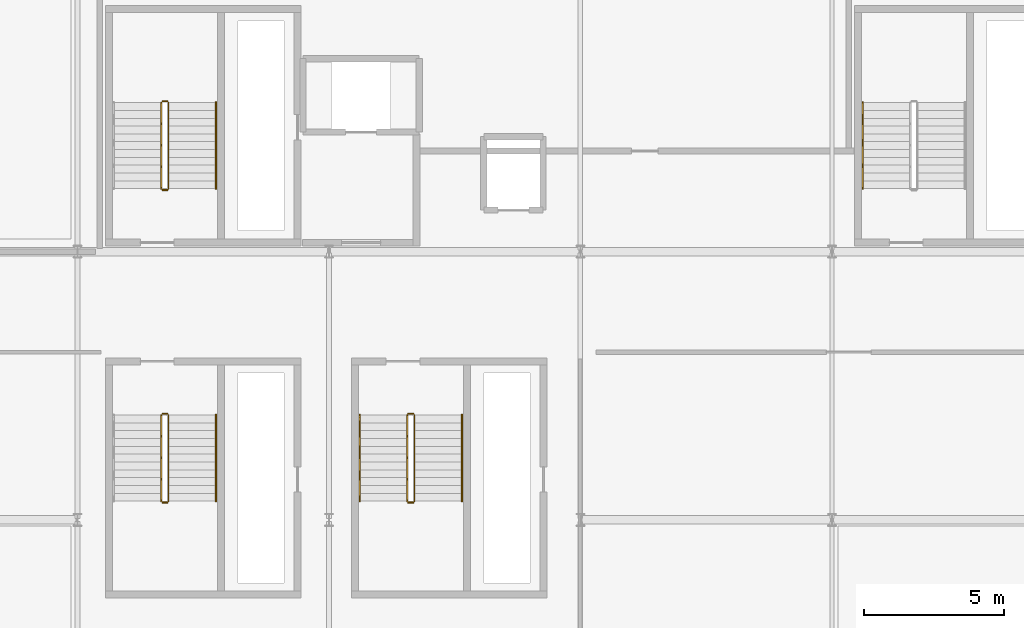
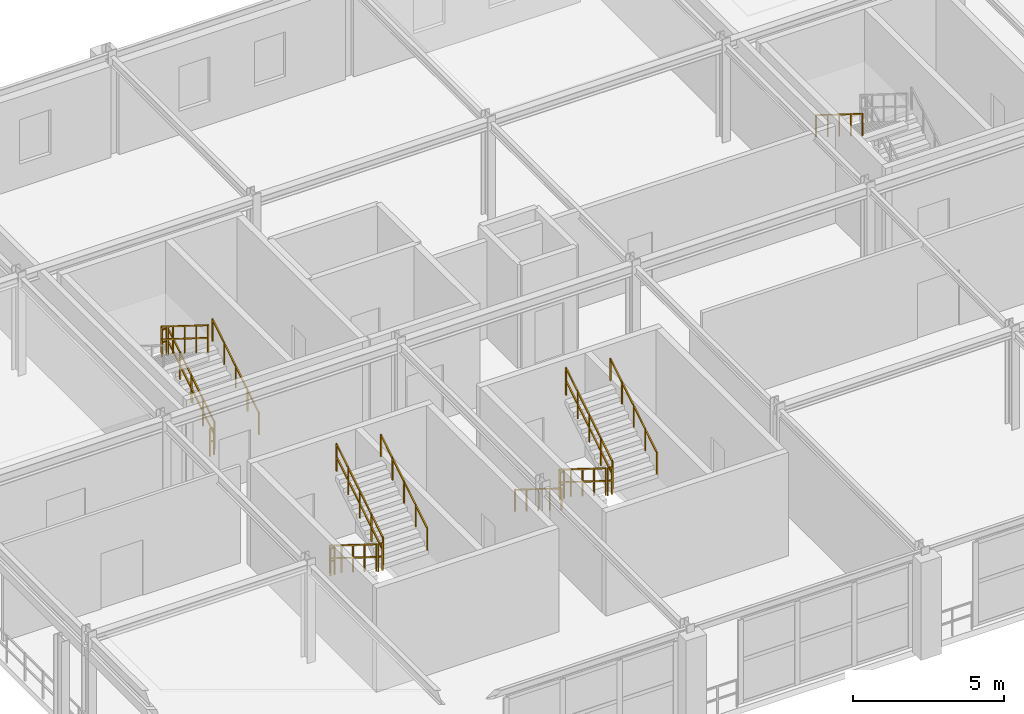
# One storey, part 79 of 81: 17 railings.
"""IFC4 building model written with IfcOpenShell, lengths in metres."""

from ifc_helpers import new_model, si_unit, direction, frame, origin, origin_2d, place, context, subcontext, project, spatial, rectangle, extrude, material, type_object, element, save


model = new_model("IFC4")

# Units and contexts
model_context = context("Model", 3, precision=1e-05, world=origin(), true_north=direction((0.0, 1.0)))
body_context = subcontext(model_context, "Body", "Model", "MODEL_VIEW")
ifc_project = project(units=[si_unit("LENGTHUNIT", "METRE"), si_unit("AREAUNIT", "SQUARE_METRE"), si_unit("VOLUMEUNIT", "CUBIC_METRE"), si_unit("PLANEANGLEUNIT", "RADIAN"), si_unit("MASSUNIT", "GRAM", prefix="KILO")], contexts=[model_context])

# Site, building, storey
site_placement = place(None, origin())
site = spatial("IfcSite", under=ifc_project, at=site_placement, CompositionType="ELEMENT")
building_placement = place(site_placement, origin())
building = spatial("IfcBuilding", under=site, at=building_placement, Name="Myrtia Square Station", CompositionType="ELEMENT")
storey_placement = place(building_placement, frame((0.0, 0.0, 10.800048828125)))
storey = spatial("IfcBuildingStorey", under=building, at=storey_placement, Name="L02", CompositionType="ELEMENT", Elevation=10.800048828125)

# Railings
ifc_material_1 = material(Name="Dark bronze anodised aluminium", Category="aluminium")
railing_type_1 = type_object("IfcRailingType", Name="RL-HANDRAIL-900", PredefinedType="HANDRAIL", material=ifc_material_1)
railing_1_placement = place(storey_placement, frame((130.9599609375, 107.85009765625, 0.175048828125)))
element("IfcRailing", 1, at=railing_1_placement, inside=storey, type_object=railing_type_1, Name="L02 ST07 stair handrail 1", PredefinedType="HANDRAIL", context=body_context, shape_type="SweptSolid", body=[
    extrude(rectangle(XDim=0.048095703125, YDim=0.048095703125, at=origin_2d()), frame((0.0, 0.029296875, 0.894287109375), z_axis=(0.0, 0.848009633417, 0.529980812513), x_axis=(-1.0, 0.0, 0.0)), (0.0, 0.0, 1.0), 0.838623046875),
    extrude(rectangle(XDim=0.048095703125, YDim=0.048095703125, at=origin_2d()), frame((0.0, 0.79931640625, 1.37548828125), z_axis=(0.0, 0.848009633417, 0.529980812513), x_axis=(-1.0, 0.0, 0.0)), (0.0, 0.0, 1.0), 0.838623046875),
    extrude(rectangle(XDim=0.048095703125, YDim=0.048095703125, at=origin_2d()), frame((0.0, 1.5693359375, 1.856689453125), z_axis=(0.0, 0.848009633417, 0.529980812513), x_axis=(-1.0, 0.0, 0.0)), (0.0, 0.0, 1.0), 0.838623046875),
    extrude(rectangle(XDim=0.048095703125, YDim=0.048095703125, at=origin_2d()), frame((0.0, 2.33935546875, 2.337890625), z_axis=(0.0, 0.848009633417, 0.529980812513), x_axis=(-1.0, 0.0, 0.0)), (0.0, 0.0, 1.0), 0.838623046875),
    extrude(rectangle(XDim=0.0439453125, YDim=0.0439453125, at=origin_2d()), origin(), (0.0, 0.0, 1.0), 0.89990234375),
    extrude(rectangle(XDim=0.0439453125, YDim=0.0439453125, at=origin_2d()), frame((0.0, 0.77001953125, 0.481201171875)), (0.0, 0.0, 1.0), 0.89990234375),
    extrude(rectangle(XDim=0.0439453125, YDim=0.0439453125, at=origin_2d()), frame((0.0, 1.5400390625, 0.96240234375)), (0.0, 0.0, 1.0), 0.89990234375),
    extrude(rectangle(XDim=0.0439453125, YDim=0.0439453125, at=origin_2d()), frame((0.0, 2.309814453125, 1.443603515625)), (0.0, 0.0, 1.0), 0.89990234375),
    extrude(rectangle(XDim=0.0439453125, YDim=0.0439453125, at=origin_2d()), frame((0.0, 3.079833984375, 1.9248046875)), (0.0, 0.0, 1.0), 0.89990234375),
])
railing_2_placement = place(storey_placement, frame((130.9599609375, 96.669921875, 2.27490234375)))
element("IfcRailing", 2, at=railing_2_placement, inside=storey, type_object=railing_type_1, Name="L02 ST12 stair handrail 2", PredefinedType="HANDRAIL", context=body_context, shape_type="SweptSolid", body=[
    extrude(rectangle(XDim=0.048095703125, YDim=0.048095703125, at=origin_2d()), frame((0.0, 0.029296875, 0.894287109375), z_axis=(0.0, 0.847998304005, 0.529998940003), x_axis=(-1.0, 0.0, 0.0)), (0.0, 0.0, 1.0), 0.8388671875),
    extrude(rectangle(XDim=0.048095703125, YDim=0.048095703125, at=origin_2d()), frame((0.0, 0.79931640625, 1.37548828125), z_axis=(0.0, 0.847998304005, 0.529998940003), x_axis=(-1.0, 0.0, 0.0)), (0.0, 0.0, 1.0), 0.8388671875),
    extrude(rectangle(XDim=0.048095703125, YDim=0.048095703125, at=origin_2d()), frame((0.0, 1.5693359375, 1.856689453125), z_axis=(0.0, 0.847998304005, 0.529998940003), x_axis=(-1.0, 0.0, 0.0)), (0.0, 0.0, 1.0), 0.8388671875),
    extrude(rectangle(XDim=0.048095703125, YDim=0.048095703125, at=origin_2d()), frame((0.0, 2.33935546875, 2.337890625), z_axis=(0.0, 0.847998304005, 0.529998940003), x_axis=(-1.0, 0.0, 0.0)), (0.0, 0.0, 1.0), 0.8388671875),
    extrude(rectangle(XDim=0.0439453125, YDim=0.0439453125, at=origin_2d()), origin(), (0.0, 0.0, 1.0), 0.89990234375),
    extrude(rectangle(XDim=0.0439453125, YDim=0.0439453125, at=origin_2d()), frame((0.0, 0.77001953125, 0.481201171875)), (0.0, 0.0, 1.0), 0.89990234375),
    extrude(rectangle(XDim=0.0439453125, YDim=0.0439453125, at=origin_2d()), frame((0.0, 1.5400390625, 0.96240234375)), (0.0, 0.0, 1.0), 0.89990234375),
    extrude(rectangle(XDim=0.0439453125, YDim=0.0439453125, at=origin_2d()), frame((0.0, 2.31005859375, 1.44384765625)), (0.0, 0.0, 1.0), 0.89990234375),
    extrude(rectangle(XDim=0.0439453125, YDim=0.0439453125, at=origin_2d()), frame((0.0, 3.080078125, 1.925048828125)), (0.0, 0.0, 1.0), 0.89990234375),
])
railing_3_placement = place(storey_placement, frame((136.10009765625, 99.75, 0.175048828125)))
element("IfcRailing", 3, at=railing_3_placement, inside=storey, type_object=railing_type_1, Name="L02 ST13 stair handrail 1", PredefinedType="HANDRAIL", context=body_context, shape_type="SweptSolid", body=[
    extrude(rectangle(XDim=0.048095703125, YDim=0.048095703125, at=origin_2d()), frame((0.0, -0.029296875, 0.894287109375), z_axis=(0.0, -0.848028513186, 0.529950602248), x_axis=(1.0, 0.0, 0.0)), (0.0, 0.0, 1.0), 0.838623046875),
    extrude(rectangle(XDim=0.048095703125, YDim=0.048095703125, at=origin_2d()), frame((0.0, -0.79931640625, 1.37548828125), z_axis=(0.0, -0.848028513186, 0.529950602248), x_axis=(1.0, 0.0, 0.0)), (0.0, 0.0, 1.0), 0.838623046875),
    extrude(rectangle(XDim=0.048095703125, YDim=0.048095703125, at=origin_2d()), frame((0.0, -1.5693359375, 1.856689453125), z_axis=(0.0, -0.848028513186, 0.529950602248), x_axis=(1.0, 0.0, 0.0)), (0.0, 0.0, 1.0), 0.838623046875),
    extrude(rectangle(XDim=0.048095703125, YDim=0.048095703125, at=origin_2d()), frame((0.0, -2.33935546875, 2.337890625), z_axis=(0.0, -0.848028513186, 0.529950602248), x_axis=(1.0, 0.0, 0.0)), (0.0, 0.0, 1.0), 0.838623046875),
    extrude(rectangle(XDim=0.0439453125, YDim=0.0439453125, at=origin_2d()), origin(), (0.0, 0.0, 1.0), 0.89990234375),
    extrude(rectangle(XDim=0.0439453125, YDim=0.0439453125, at=origin_2d()), frame((0.0, -0.77001953125, 0.481201171875)), (0.0, 0.0, 1.0), 0.89990234375),
    extrude(rectangle(XDim=0.0439453125, YDim=0.0439453125, at=origin_2d()), frame((0.0, -1.5400390625, 0.96240234375)), (0.0, 0.0, 1.0), 0.89990234375),
    extrude(rectangle(XDim=0.0439453125, YDim=0.0439453125, at=origin_2d()), frame((0.0, -2.31005859375, 1.443603515625)), (0.0, 0.0, 1.0), 0.89990234375),
    extrude(rectangle(XDim=0.0439453125, YDim=0.0439453125, at=origin_2d()), frame((0.0, -3.080078125, 1.9248046875)), (0.0, 0.0, 1.0), 0.89990234375),
])
railing_4_placement = place(storey_placement, frame((139.760009765625, 96.669921875, 2.27490234375)))
element("IfcRailing", 4, at=railing_4_placement, inside=storey, type_object=railing_type_1, Name="L02 ST13 stair handrail 2", PredefinedType="HANDRAIL", context=body_context, shape_type="SweptSolid", body=[
    extrude(rectangle(XDim=0.048095703125, YDim=0.048095703125, at=origin_2d()), frame((0.0, 0.029296875, 0.894287109375), z_axis=(0.0, 0.847998304005, 0.529998940003), x_axis=(-1.0, 0.0, 0.0)), (0.0, 0.0, 1.0), 0.8388671875),
    extrude(rectangle(XDim=0.048095703125, YDim=0.048095703125, at=origin_2d()), frame((0.0, 0.79931640625, 1.37548828125), z_axis=(0.0, 0.847998304005, 0.529998940003), x_axis=(-1.0, 0.0, 0.0)), (0.0, 0.0, 1.0), 0.8388671875),
    extrude(rectangle(XDim=0.048095703125, YDim=0.048095703125, at=origin_2d()), frame((0.0, 1.5693359375, 1.856689453125), z_axis=(0.0, 0.847998304005, 0.529998940003), x_axis=(-1.0, 0.0, 0.0)), (0.0, 0.0, 1.0), 0.8388671875),
    extrude(rectangle(XDim=0.048095703125, YDim=0.048095703125, at=origin_2d()), frame((0.0, 2.33935546875, 2.337890625), z_axis=(0.0, 0.847998304005, 0.529998940003), x_axis=(-1.0, 0.0, 0.0)), (0.0, 0.0, 1.0), 0.8388671875),
    extrude(rectangle(XDim=0.0439453125, YDim=0.0439453125, at=origin_2d()), origin(), (0.0, 0.0, 1.0), 0.89990234375),
    extrude(rectangle(XDim=0.0439453125, YDim=0.0439453125, at=origin_2d()), frame((0.0, 0.77001953125, 0.481201171875)), (0.0, 0.0, 1.0), 0.89990234375),
    extrude(rectangle(XDim=0.0439453125, YDim=0.0439453125, at=origin_2d()), frame((0.0, 1.5400390625, 0.96240234375)), (0.0, 0.0, 1.0), 0.89990234375),
    extrude(rectangle(XDim=0.0439453125, YDim=0.0439453125, at=origin_2d()), frame((0.0, 2.31005859375, 1.44384765625)), (0.0, 0.0, 1.0), 0.89990234375),
    extrude(rectangle(XDim=0.0439453125, YDim=0.0439453125, at=origin_2d()), frame((0.0, 3.080078125, 1.925048828125)), (0.0, 0.0, 1.0), 0.89990234375),
])
railing_5_placement = place(storey_placement, frame((154.10009765625, 110.929931640625, 2.27490234375)))
element("IfcRailing", 5, at=railing_5_placement, inside=storey, type_object=railing_type_1, Name="L02 ST15 stair handrail 2", PredefinedType="HANDRAIL", context=body_context, shape_type="SweptSolid", body=[
    extrude(rectangle(XDim=0.048095703125, YDim=0.048095703125, at=origin_2d()), frame((0.0, -0.029296875, 0.894287109375), z_axis=(0.0, -0.847979421464, 0.530029150871), x_axis=(1.0, 0.0, 0.0)), (0.0, 0.0, 1.0), 0.838623046875),
    extrude(rectangle(XDim=0.048095703125, YDim=0.048095703125, at=origin_2d()), frame((0.0, -0.79931640625, 1.37548828125), z_axis=(0.0, -0.847979421464, 0.530029150871), x_axis=(1.0, 0.0, 0.0)), (0.0, 0.0, 1.0), 0.838623046875),
    extrude(rectangle(XDim=0.048095703125, YDim=0.048095703125, at=origin_2d()), frame((0.0, -1.5693359375, 1.856689453125), z_axis=(0.0, -0.847979421464, 0.530029150871), x_axis=(1.0, 0.0, 0.0)), (0.0, 0.0, 1.0), 0.838623046875),
    extrude(rectangle(XDim=0.048095703125, YDim=0.048095703125, at=origin_2d()), frame((0.0, -2.33935546875, 2.337890625), z_axis=(0.0, -0.847979421464, 0.530029150871), x_axis=(1.0, 0.0, 0.0)), (0.0, 0.0, 1.0), 0.838623046875),
    extrude(rectangle(XDim=0.0439453125, YDim=0.0439453125, at=origin_2d()), origin(), (0.0, 0.0, 1.0), 0.89990234375),
    extrude(rectangle(XDim=0.0439453125, YDim=0.0439453125, at=origin_2d()), frame((0.0, -0.77001953125, 0.481201171875)), (0.0, 0.0, 1.0), 0.89990234375),
    extrude(rectangle(XDim=0.0439453125, YDim=0.0439453125, at=origin_2d()), frame((0.0, -1.5400390625, 0.96240234375)), (0.0, 0.0, 1.0), 0.89990234375),
    extrude(rectangle(XDim=0.0439453125, YDim=0.0439453125, at=origin_2d()), frame((0.0, -2.309814453125, 1.44384765625)), (0.0, 0.0, 1.0), 0.89990234375),
    extrude(rectangle(XDim=0.0439453125, YDim=0.0439453125, at=origin_2d()), frame((0.0, -3.079833984375, 1.925048828125)), (0.0, 0.0, 1.0), 0.89990234375),
])
ifc_material_2 = material(Name="Wrought iron", Category="steel")
railing_type_2 = type_object("IfcRailingType", Name="RL-INT-GUARD-1100", PredefinedType="BALUSTRADE", material=ifc_material_2)
railing_6_placement = place(storey_placement, frame((129.260009765625, 107.85009765625, 0.175048828125)))
element("IfcRailing", 6, at=railing_6_placement, inside=storey, type_object=railing_type_2, Name="L02 ST07 stair guard 1", PredefinedType="BALUSTRADE", context=body_context, shape_type="SweptSolid", body=[
    extrude(rectangle(XDim=0.048095703125, YDim=0.048095703125, at=origin_2d()), frame((0.0, 0.029296875, 1.114501953125), z_axis=(0.0, 0.848009633417, 0.529980812513), x_axis=(-1.0, 0.0, 0.0)), (0.0, 0.0, 1.0), 0.838623046875),
    extrude(rectangle(XDim=0.048095703125, YDim=0.048095703125, at=origin_2d()), frame((0.0, 0.029296875, 0.600830078125), z_axis=(0.0, 0.848009633417, 0.529980812513), x_axis=(-1.0, 0.0, 0.0)), (0.0, 0.0, 1.0), 0.838623046875),
    extrude(rectangle(XDim=0.048095703125, YDim=0.048095703125, at=origin_2d()), frame((0.0, 0.79931640625, 1.595703125), z_axis=(0.0, 0.848009633417, 0.529980812513), x_axis=(-1.0, 0.0, 0.0)), (0.0, 0.0, 1.0), 0.838623046875),
    extrude(rectangle(XDim=0.048095703125, YDim=0.048095703125, at=origin_2d()), frame((0.0, 0.79931640625, 1.08203125), z_axis=(0.0, 0.848009633417, 0.529980812513), x_axis=(-1.0, 0.0, 0.0)), (0.0, 0.0, 1.0), 0.838623046875),
    extrude(rectangle(XDim=0.048095703125, YDim=0.048095703125, at=origin_2d()), frame((0.0, 1.5693359375, 2.076904296875), z_axis=(0.0, 0.848009633417, 0.529980812513), x_axis=(-1.0, 0.0, 0.0)), (0.0, 0.0, 1.0), 0.838623046875),
    extrude(rectangle(XDim=0.048095703125, YDim=0.048095703125, at=origin_2d()), frame((0.0, 1.5693359375, 1.563232421875), z_axis=(0.0, 0.848009633417, 0.529980812513), x_axis=(-1.0, 0.0, 0.0)), (0.0, 0.0, 1.0), 0.838623046875),
    extrude(rectangle(XDim=0.048095703125, YDim=0.048095703125, at=origin_2d()), frame((0.0, 2.33935546875, 2.55810546875), z_axis=(0.0, 0.848009633417, 0.529980812513), x_axis=(-1.0, 0.0, 0.0)), (0.0, 0.0, 1.0), 0.838623046875),
    extrude(rectangle(XDim=0.048095703125, YDim=0.048095703125, at=origin_2d()), frame((0.0, 2.33935546875, 2.04443359375), z_axis=(0.0, 0.848009633417, 0.529980812513), x_axis=(-1.0, 0.0, 0.0)), (0.0, 0.0, 1.0), 0.838623046875),
    extrude(rectangle(XDim=0.0439453125, YDim=0.0439453125, at=origin_2d()), origin(), (0.0, 0.0, 1.0), 1.1201171875),
    extrude(rectangle(XDim=0.0439453125, YDim=0.0439453125, at=origin_2d()), frame((0.0, 0.77001953125, 0.481201171875)), (0.0, 0.0, 1.0), 1.1201171875),
    extrude(rectangle(XDim=0.0439453125, YDim=0.0439453125, at=origin_2d()), frame((0.0, 1.5400390625, 0.96240234375)), (0.0, 0.0, 1.0), 1.1201171875),
    extrude(rectangle(XDim=0.0439453125, YDim=0.0439453125, at=origin_2d()), frame((0.0, 2.309814453125, 1.443603515625)), (0.0, 0.0, 1.0), 1.1201171875),
    extrude(rectangle(XDim=0.0439453125, YDim=0.0439453125, at=origin_2d()), frame((0.0, 3.079833984375, 1.9248046875)), (0.0, 0.0, 1.0), 1.1201171875),
])
railing_7_placement = place(storey_placement, frame((129.2099609375, 110.97998046875, 2.099853515625)))
element("IfcRailing", 7, at=railing_7_placement, inside=storey, type_object=railing_type_2, Name="L02 ST07 stair guard 2", PredefinedType="BALUSTRADE", context=body_context, shape_type="SweptSolid", body=[
    extrude(rectangle(XDim=0.048095703125, YDim=0.048095703125, at=origin_2d()), frame((-0.03466796875, 0.0, 1.09619140625), z_axis=(-1.0, 0.0, 0.0), x_axis=(0.0, -1.0, 0.0)), (0.0, 0.0, 1.0), 0.090576171875),
    extrude(rectangle(XDim=0.048095703125, YDim=0.048095703125, at=origin_2d()), frame((-0.03466796875, 0.0, 0.58251953125), z_axis=(-1.0, 0.0, 0.0), x_axis=(0.0, -1.0, 0.0)), (0.0, 0.0, 1.0), 0.090576171875),
    extrude(rectangle(XDim=0.0439453125, YDim=0.0439453125, at=origin_2d()), origin(), (0.0, 0.0, 1.0), 1.1201171875),
    extrude(rectangle(XDim=0.0439453125, YDim=0.0439453125, at=origin_2d()), frame((-0.159912109375, 0.0, 0.0)), (0.0, 0.0, 1.0), 1.1201171875),
])
railing_8_placement = place(storey_placement, frame((129.0, 110.929931640625, 2.27490234375)))
element("IfcRailing", 8, at=railing_8_placement, inside=storey, type_object=railing_type_2, Name="L02 ST07 stair guard 3", PredefinedType="BALUSTRADE", context=body_context, shape_type="SweptSolid", body=[
    extrude(rectangle(XDim=0.048095703125, YDim=0.048095703125, at=origin_2d()), frame((0.0, -0.029296875, 1.114501953125), z_axis=(0.0, -0.847979421464, 0.530029150871), x_axis=(1.0, 0.0, 0.0)), (0.0, 0.0, 1.0), 0.838623046875),
    extrude(rectangle(XDim=0.048095703125, YDim=0.048095703125, at=origin_2d()), frame((0.0, -0.029296875, 0.600830078125), z_axis=(0.0, -0.847979421464, 0.530029150871), x_axis=(1.0, 0.0, 0.0)), (0.0, 0.0, 1.0), 0.838623046875),
    extrude(rectangle(XDim=0.048095703125, YDim=0.048095703125, at=origin_2d()), frame((0.0, -0.79931640625, 1.595703125), z_axis=(0.0, -0.847979421464, 0.530029150871), x_axis=(1.0, 0.0, 0.0)), (0.0, 0.0, 1.0), 0.838623046875),
    extrude(rectangle(XDim=0.048095703125, YDim=0.048095703125, at=origin_2d()), frame((0.0, -0.79931640625, 1.08203125), z_axis=(0.0, -0.847979421464, 0.530029150871), x_axis=(1.0, 0.0, 0.0)), (0.0, 0.0, 1.0), 0.838623046875),
    extrude(rectangle(XDim=0.048095703125, YDim=0.048095703125, at=origin_2d()), frame((0.0, -1.5693359375, 2.076904296875), z_axis=(0.0, -0.847979421464, 0.530029150871), x_axis=(1.0, 0.0, 0.0)), (0.0, 0.0, 1.0), 0.838623046875),
    extrude(rectangle(XDim=0.048095703125, YDim=0.048095703125, at=origin_2d()), frame((0.0, -1.5693359375, 1.563232421875), z_axis=(0.0, -0.847979421464, 0.530029150871), x_axis=(1.0, 0.0, 0.0)), (0.0, 0.0, 1.0), 0.838623046875),
    extrude(rectangle(XDim=0.048095703125, YDim=0.048095703125, at=origin_2d()), frame((0.0, -2.33935546875, 2.55810546875), z_axis=(0.0, -0.847979421464, 0.530029150871), x_axis=(1.0, 0.0, 0.0)), (0.0, 0.0, 1.0), 0.838623046875),
    extrude(rectangle(XDim=0.048095703125, YDim=0.048095703125, at=origin_2d()), frame((0.0, -2.33935546875, 2.044677734375), z_axis=(0.0, -0.847979421464, 0.530029150871), x_axis=(1.0, 0.0, 0.0)), (0.0, 0.0, 1.0), 0.838623046875),
    extrude(rectangle(XDim=0.0439453125, YDim=0.0439453125, at=origin_2d()), origin(), (0.0, 0.0, 1.0), 1.1201171875),
    extrude(rectangle(XDim=0.0439453125, YDim=0.0439453125, at=origin_2d()), frame((0.0, -0.77001953125, 0.481201171875)), (0.0, 0.0, 1.0), 1.1201171875),
    extrude(rectangle(XDim=0.0439453125, YDim=0.0439453125, at=origin_2d()), frame((0.0, -1.5400390625, 0.96240234375)), (0.0, 0.0, 1.0), 1.1201171875),
    extrude(rectangle(XDim=0.0439453125, YDim=0.0439453125, at=origin_2d()), frame((0.0, -2.309814453125, 1.44384765625)), (0.0, 0.0, 1.0), 1.1201171875),
    extrude(rectangle(XDim=0.0439453125, YDim=0.0439453125, at=origin_2d()), frame((0.0, -3.079833984375, 1.925048828125)), (0.0, 0.0, 1.0), 1.1201171875),
])
railing_9_placement = place(storey_placement, frame((129.2099609375, 107.800048828125, 0.0)))
element("IfcRailing", 9, at=railing_9_placement, inside=storey, type_object=railing_type_2, Name="L02 ST07 stair guard 4", PredefinedType="BALUSTRADE", context=body_context, shape_type="SweptSolid", body=[
    extrude(rectangle(XDim=0.048095703125, YDim=0.048095703125, at=origin_2d()), frame((-0.03466796875, 0.0, 1.09619140625), z_axis=(-1.0, 0.0, 0.0), x_axis=(0.0, -1.0, 0.0)), (0.0, 0.0, 1.0), 0.090576171875),
    extrude(rectangle(XDim=0.048095703125, YDim=0.048095703125, at=origin_2d()), frame((-0.03466796875, 0.0, 0.58251953125), z_axis=(-1.0, 0.0, 0.0), x_axis=(0.0, -1.0, 0.0)), (0.0, 0.0, 1.0), 0.090576171875),
    extrude(rectangle(XDim=0.0439453125, YDim=0.0439453125, at=origin_2d()), origin(), (0.0, 0.0, 1.0), 1.1201171875),
    extrude(rectangle(XDim=0.0439453125, YDim=0.0439453125, at=origin_2d()), frame((-0.159912109375, 0.0, 0.0)), (0.0, 0.0, 1.0), 1.1201171875),
])
railing_10_placement = place(storey_placement, frame((129.0, 99.75, 0.175048828125)))
element("IfcRailing", 10, at=railing_10_placement, inside=storey, type_object=railing_type_2, Name="L02 ST12 stair guard 1", PredefinedType="BALUSTRADE", context=body_context, shape_type="SweptSolid", body=[
    extrude(rectangle(XDim=0.048095703125, YDim=0.048095703125, at=origin_2d()), frame((0.0, -0.029296875, 1.114501953125), z_axis=(0.0, -0.848028513186, 0.529950602248), x_axis=(1.0, 0.0, 0.0)), (0.0, 0.0, 1.0), 0.838623046875),
    extrude(rectangle(XDim=0.048095703125, YDim=0.048095703125, at=origin_2d()), frame((0.0, -0.029296875, 0.600830078125), z_axis=(0.0, -0.848028513186, 0.529950602248), x_axis=(1.0, 0.0, 0.0)), (0.0, 0.0, 1.0), 0.838623046875),
    extrude(rectangle(XDim=0.048095703125, YDim=0.048095703125, at=origin_2d()), frame((0.0, -0.79931640625, 1.595703125), z_axis=(0.0, -0.848028513186, 0.529950602248), x_axis=(1.0, 0.0, 0.0)), (0.0, 0.0, 1.0), 0.838623046875),
    extrude(rectangle(XDim=0.048095703125, YDim=0.048095703125, at=origin_2d()), frame((0.0, -0.79931640625, 1.08203125), z_axis=(0.0, -0.848028513186, 0.529950602248), x_axis=(1.0, 0.0, 0.0)), (0.0, 0.0, 1.0), 0.838623046875),
    extrude(rectangle(XDim=0.048095703125, YDim=0.048095703125, at=origin_2d()), frame((0.0, -1.5693359375, 2.076904296875), z_axis=(0.0, -0.848028513186, 0.529950602248), x_axis=(1.0, 0.0, 0.0)), (0.0, 0.0, 1.0), 0.838623046875),
    extrude(rectangle(XDim=0.048095703125, YDim=0.048095703125, at=origin_2d()), frame((0.0, -1.5693359375, 1.563232421875), z_axis=(0.0, -0.848028513186, 0.529950602248), x_axis=(1.0, 0.0, 0.0)), (0.0, 0.0, 1.0), 0.838623046875),
    extrude(rectangle(XDim=0.048095703125, YDim=0.048095703125, at=origin_2d()), frame((0.0, -2.33935546875, 2.55810546875), z_axis=(0.0, -0.848028513186, 0.529950602248), x_axis=(1.0, 0.0, 0.0)), (0.0, 0.0, 1.0), 0.838623046875),
    extrude(rectangle(XDim=0.048095703125, YDim=0.048095703125, at=origin_2d()), frame((0.0, -2.33935546875, 2.04443359375), z_axis=(0.0, -0.848028513186, 0.529950602248), x_axis=(1.0, 0.0, 0.0)), (0.0, 0.0, 1.0), 0.838623046875),
    extrude(rectangle(XDim=0.0439453125, YDim=0.0439453125, at=origin_2d()), origin(), (0.0, 0.0, 1.0), 1.1201171875),
    extrude(rectangle(XDim=0.0439453125, YDim=0.0439453125, at=origin_2d()), frame((0.0, -0.77001953125, 0.481201171875)), (0.0, 0.0, 1.0), 1.1201171875),
    extrude(rectangle(XDim=0.0439453125, YDim=0.0439453125, at=origin_2d()), frame((0.0, -1.5400390625, 0.96240234375)), (0.0, 0.0, 1.0), 1.1201171875),
    extrude(rectangle(XDim=0.0439453125, YDim=0.0439453125, at=origin_2d()), frame((0.0, -2.31005859375, 1.443603515625)), (0.0, 0.0, 1.0), 1.1201171875),
    extrude(rectangle(XDim=0.0439453125, YDim=0.0439453125, at=origin_2d()), frame((0.0, -3.080078125, 1.9248046875)), (0.0, 0.0, 1.0), 1.1201171875),
])
railing_11_placement = place(storey_placement, frame((129.050048828125, 96.6201171875, 2.099853515625)))
element("IfcRailing", 11, at=railing_11_placement, inside=storey, type_object=railing_type_2, Name="L02 ST12 stair guard 2", PredefinedType="BALUSTRADE", context=body_context, shape_type="SweptSolid", body=[
    extrude(rectangle(XDim=0.048095703125, YDim=0.048095703125, at=origin_2d()), frame((0.03466796875, 0.0, 1.09619140625), z_axis=(1.0, 0.0, 0.0), x_axis=(0.0, 1.0, 0.0)), (0.0, 0.0, 1.0), 0.090576171875),
    extrude(rectangle(XDim=0.048095703125, YDim=0.048095703125, at=origin_2d()), frame((0.03466796875, 0.0, 0.58251953125), z_axis=(1.0, 0.0, 0.0), x_axis=(0.0, 1.0, 0.0)), (0.0, 0.0, 1.0), 0.090576171875),
    extrude(rectangle(XDim=0.0439453125, YDim=0.0439453125, at=origin_2d()), origin(), (0.0, 0.0, 1.0), 1.1201171875),
    extrude(rectangle(XDim=0.0439453125, YDim=0.0439453125, at=origin_2d()), frame((0.159912109375, 0.0, 0.0)), (0.0, 0.0, 1.0), 1.1201171875),
])
railing_12_placement = place(storey_placement, frame((129.260009765625, 96.669921875, 2.27490234375)))
element("IfcRailing", 12, at=railing_12_placement, inside=storey, type_object=railing_type_2, Name="L02 ST12 stair guard 3", PredefinedType="BALUSTRADE", context=body_context, shape_type="SweptSolid", body=[
    extrude(rectangle(XDim=0.048095703125, YDim=0.048095703125, at=origin_2d()), frame((0.0, 0.029296875, 1.114501953125), z_axis=(0.0, 0.847998304005, 0.529998940003), x_axis=(-1.0, 0.0, 0.0)), (0.0, 0.0, 1.0), 0.8388671875),
    extrude(rectangle(XDim=0.048095703125, YDim=0.048095703125, at=origin_2d()), frame((0.0, 0.029296875, 0.600830078125), z_axis=(0.0, 0.847998304005, 0.529998940003), x_axis=(-1.0, 0.0, 0.0)), (0.0, 0.0, 1.0), 0.8388671875),
    extrude(rectangle(XDim=0.048095703125, YDim=0.048095703125, at=origin_2d()), frame((0.0, 0.79931640625, 1.595703125), z_axis=(0.0, 0.847998304005, 0.529998940003), x_axis=(-1.0, 0.0, 0.0)), (0.0, 0.0, 1.0), 0.8388671875),
    extrude(rectangle(XDim=0.048095703125, YDim=0.048095703125, at=origin_2d()), frame((0.0, 0.79931640625, 1.08203125), z_axis=(0.0, 0.847998304005, 0.529998940003), x_axis=(-1.0, 0.0, 0.0)), (0.0, 0.0, 1.0), 0.8388671875),
    extrude(rectangle(XDim=0.048095703125, YDim=0.048095703125, at=origin_2d()), frame((0.0, 1.5693359375, 2.076904296875), z_axis=(0.0, 0.847998304005, 0.529998940003), x_axis=(-1.0, 0.0, 0.0)), (0.0, 0.0, 1.0), 0.8388671875),
    extrude(rectangle(XDim=0.048095703125, YDim=0.048095703125, at=origin_2d()), frame((0.0, 1.5693359375, 1.563232421875), z_axis=(0.0, 0.847998304005, 0.529998940003), x_axis=(-1.0, 0.0, 0.0)), (0.0, 0.0, 1.0), 0.8388671875),
    extrude(rectangle(XDim=0.048095703125, YDim=0.048095703125, at=origin_2d()), frame((0.0, 2.33935546875, 2.55810546875), z_axis=(0.0, 0.847998304005, 0.529998940003), x_axis=(-1.0, 0.0, 0.0)), (0.0, 0.0, 1.0), 0.8388671875),
    extrude(rectangle(XDim=0.048095703125, YDim=0.048095703125, at=origin_2d()), frame((0.0, 2.33935546875, 2.044677734375), z_axis=(0.0, 0.847998304005, 0.529998940003), x_axis=(-1.0, 0.0, 0.0)), (0.0, 0.0, 1.0), 0.8388671875),
    extrude(rectangle(XDim=0.0439453125, YDim=0.0439453125, at=origin_2d()), origin(), (0.0, 0.0, 1.0), 1.1201171875),
    extrude(rectangle(XDim=0.0439453125, YDim=0.0439453125, at=origin_2d()), frame((0.0, 0.77001953125, 0.481201171875)), (0.0, 0.0, 1.0), 1.1201171875),
    extrude(rectangle(XDim=0.0439453125, YDim=0.0439453125, at=origin_2d()), frame((0.0, 1.5400390625, 0.96240234375)), (0.0, 0.0, 1.0), 1.1201171875),
    extrude(rectangle(XDim=0.0439453125, YDim=0.0439453125, at=origin_2d()), frame((0.0, 2.31005859375, 1.44384765625)), (0.0, 0.0, 1.0), 1.1201171875),
    extrude(rectangle(XDim=0.0439453125, YDim=0.0439453125, at=origin_2d()), frame((0.0, 3.080078125, 1.925048828125)), (0.0, 0.0, 1.0), 1.1201171875),
])
railing_13_placement = place(storey_placement, frame((129.050048828125, 99.800048828125, 0.0)))
element("IfcRailing", 13, at=railing_13_placement, inside=storey, type_object=railing_type_2, Name="L02 ST12 stair guard 4", PredefinedType="BALUSTRADE", context=body_context, shape_type="SweptSolid", body=[
    extrude(rectangle(XDim=0.048095703125, YDim=0.048095703125, at=origin_2d()), frame((0.03466796875, 0.0, 1.09619140625), z_axis=(1.0, 0.0, 0.0), x_axis=(0.0, 1.0, 0.0)), (0.0, 0.0, 1.0), 0.090576171875),
    extrude(rectangle(XDim=0.048095703125, YDim=0.048095703125, at=origin_2d()), frame((0.03466796875, 0.0, 0.58251953125), z_axis=(1.0, 0.0, 0.0), x_axis=(0.0, 1.0, 0.0)), (0.0, 0.0, 1.0), 0.090576171875),
    extrude(rectangle(XDim=0.0439453125, YDim=0.0439453125, at=origin_2d()), origin(), (0.0, 0.0, 1.0), 1.1201171875),
    extrude(rectangle(XDim=0.0439453125, YDim=0.0439453125, at=origin_2d()), frame((0.159912109375, 0.0, 0.0)), (0.0, 0.0, 1.0), 1.1201171875),
])
railing_14_placement = place(storey_placement, frame((137.800048828125, 99.75, 0.175048828125)))
element("IfcRailing", 14, at=railing_14_placement, inside=storey, type_object=railing_type_2, Name="L02 ST13 stair guard 1", PredefinedType="BALUSTRADE", context=body_context, shape_type="SweptSolid", body=[
    extrude(rectangle(XDim=0.048095703125, YDim=0.048095703125, at=origin_2d()), frame((0.0, -0.029296875, 1.114501953125), z_axis=(0.0, -0.848028513186, 0.529950602248), x_axis=(1.0, 0.0, 0.0)), (0.0, 0.0, 1.0), 0.838623046875),
    extrude(rectangle(XDim=0.048095703125, YDim=0.048095703125, at=origin_2d()), frame((0.0, -0.029296875, 0.600830078125), z_axis=(0.0, -0.848028513186, 0.529950602248), x_axis=(1.0, 0.0, 0.0)), (0.0, 0.0, 1.0), 0.838623046875),
    extrude(rectangle(XDim=0.048095703125, YDim=0.048095703125, at=origin_2d()), frame((0.0, -0.79931640625, 1.595703125), z_axis=(0.0, -0.848028513186, 0.529950602248), x_axis=(1.0, 0.0, 0.0)), (0.0, 0.0, 1.0), 0.838623046875),
    extrude(rectangle(XDim=0.048095703125, YDim=0.048095703125, at=origin_2d()), frame((0.0, -0.79931640625, 1.08203125), z_axis=(0.0, -0.848028513186, 0.529950602248), x_axis=(1.0, 0.0, 0.0)), (0.0, 0.0, 1.0), 0.838623046875),
    extrude(rectangle(XDim=0.048095703125, YDim=0.048095703125, at=origin_2d()), frame((0.0, -1.5693359375, 2.076904296875), z_axis=(0.0, -0.848028513186, 0.529950602248), x_axis=(1.0, 0.0, 0.0)), (0.0, 0.0, 1.0), 0.838623046875),
    extrude(rectangle(XDim=0.048095703125, YDim=0.048095703125, at=origin_2d()), frame((0.0, -1.5693359375, 1.563232421875), z_axis=(0.0, -0.848028513186, 0.529950602248), x_axis=(1.0, 0.0, 0.0)), (0.0, 0.0, 1.0), 0.838623046875),
    extrude(rectangle(XDim=0.048095703125, YDim=0.048095703125, at=origin_2d()), frame((0.0, -2.33935546875, 2.55810546875), z_axis=(0.0, -0.848028513186, 0.529950602248), x_axis=(1.0, 0.0, 0.0)), (0.0, 0.0, 1.0), 0.838623046875),
    extrude(rectangle(XDim=0.048095703125, YDim=0.048095703125, at=origin_2d()), frame((0.0, -2.33935546875, 2.04443359375), z_axis=(0.0, -0.848028513186, 0.529950602248), x_axis=(1.0, 0.0, 0.0)), (0.0, 0.0, 1.0), 0.838623046875),
    extrude(rectangle(XDim=0.0439453125, YDim=0.0439453125, at=origin_2d()), origin(), (0.0, 0.0, 1.0), 1.1201171875),
    extrude(rectangle(XDim=0.0439453125, YDim=0.0439453125, at=origin_2d()), frame((0.0, -0.77001953125, 0.481201171875)), (0.0, 0.0, 1.0), 1.1201171875),
    extrude(rectangle(XDim=0.0439453125, YDim=0.0439453125, at=origin_2d()), frame((0.0, -1.5400390625, 0.96240234375)), (0.0, 0.0, 1.0), 1.1201171875),
    extrude(rectangle(XDim=0.0439453125, YDim=0.0439453125, at=origin_2d()), frame((0.0, -2.31005859375, 1.443603515625)), (0.0, 0.0, 1.0), 1.1201171875),
    extrude(rectangle(XDim=0.0439453125, YDim=0.0439453125, at=origin_2d()), frame((0.0, -3.080078125, 1.9248046875)), (0.0, 0.0, 1.0), 1.1201171875),
])
railing_15_placement = place(storey_placement, frame((137.85009765625, 96.6201171875, 2.099853515625)))
element("IfcRailing", 15, at=railing_15_placement, inside=storey, type_object=railing_type_2, Name="L02 ST13 stair guard 2", PredefinedType="BALUSTRADE", context=body_context, shape_type="SweptSolid", body=[
    extrude(rectangle(XDim=0.048095703125, YDim=0.048095703125, at=origin_2d()), frame((0.03466796875, 0.0, 1.09619140625), z_axis=(1.0, 0.0, 0.0), x_axis=(0.0, 1.0, 0.0)), (0.0, 0.0, 1.0), 0.090576171875),
    extrude(rectangle(XDim=0.048095703125, YDim=0.048095703125, at=origin_2d()), frame((0.03466796875, 0.0, 0.58251953125), z_axis=(1.0, 0.0, 0.0), x_axis=(0.0, 1.0, 0.0)), (0.0, 0.0, 1.0), 0.090576171875),
    extrude(rectangle(XDim=0.0439453125, YDim=0.0439453125, at=origin_2d()), origin(), (0.0, 0.0, 1.0), 1.1201171875),
    extrude(rectangle(XDim=0.0439453125, YDim=0.0439453125, at=origin_2d()), frame((0.159912109375, 0.0, 0.0)), (0.0, 0.0, 1.0), 1.1201171875),
])
railing_16_placement = place(storey_placement, frame((138.06005859375, 96.669921875, 2.27490234375)))
element("IfcRailing", 16, at=railing_16_placement, inside=storey, type_object=railing_type_2, Name="L02 ST13 stair guard 3", PredefinedType="BALUSTRADE", context=body_context, shape_type="SweptSolid", body=[
    extrude(rectangle(XDim=0.048095703125, YDim=0.048095703125, at=origin_2d()), frame((0.0, 0.029296875, 1.114501953125), z_axis=(0.0, 0.847998304005, 0.529998940003), x_axis=(-1.0, 0.0, 0.0)), (0.0, 0.0, 1.0), 0.8388671875),
    extrude(rectangle(XDim=0.048095703125, YDim=0.048095703125, at=origin_2d()), frame((0.0, 0.029296875, 0.600830078125), z_axis=(0.0, 0.847998304005, 0.529998940003), x_axis=(-1.0, 0.0, 0.0)), (0.0, 0.0, 1.0), 0.8388671875),
    extrude(rectangle(XDim=0.048095703125, YDim=0.048095703125, at=origin_2d()), frame((0.0, 0.79931640625, 1.595703125), z_axis=(0.0, 0.847998304005, 0.529998940003), x_axis=(-1.0, 0.0, 0.0)), (0.0, 0.0, 1.0), 0.8388671875),
    extrude(rectangle(XDim=0.048095703125, YDim=0.048095703125, at=origin_2d()), frame((0.0, 0.79931640625, 1.08203125), z_axis=(0.0, 0.847998304005, 0.529998940003), x_axis=(-1.0, 0.0, 0.0)), (0.0, 0.0, 1.0), 0.8388671875),
    extrude(rectangle(XDim=0.048095703125, YDim=0.048095703125, at=origin_2d()), frame((0.0, 1.5693359375, 2.076904296875), z_axis=(0.0, 0.847998304005, 0.529998940003), x_axis=(-1.0, 0.0, 0.0)), (0.0, 0.0, 1.0), 0.8388671875),
    extrude(rectangle(XDim=0.048095703125, YDim=0.048095703125, at=origin_2d()), frame((0.0, 1.5693359375, 1.563232421875), z_axis=(0.0, 0.847998304005, 0.529998940003), x_axis=(-1.0, 0.0, 0.0)), (0.0, 0.0, 1.0), 0.8388671875),
    extrude(rectangle(XDim=0.048095703125, YDim=0.048095703125, at=origin_2d()), frame((0.0, 2.33935546875, 2.55810546875), z_axis=(0.0, 0.847998304005, 0.529998940003), x_axis=(-1.0, 0.0, 0.0)), (0.0, 0.0, 1.0), 0.8388671875),
    extrude(rectangle(XDim=0.048095703125, YDim=0.048095703125, at=origin_2d()), frame((0.0, 2.33935546875, 2.044677734375), z_axis=(0.0, 0.847998304005, 0.529998940003), x_axis=(-1.0, 0.0, 0.0)), (0.0, 0.0, 1.0), 0.8388671875),
    extrude(rectangle(XDim=0.0439453125, YDim=0.0439453125, at=origin_2d()), origin(), (0.0, 0.0, 1.0), 1.1201171875),
    extrude(rectangle(XDim=0.0439453125, YDim=0.0439453125, at=origin_2d()), frame((0.0, 0.77001953125, 0.481201171875)), (0.0, 0.0, 1.0), 1.1201171875),
    extrude(rectangle(XDim=0.0439453125, YDim=0.0439453125, at=origin_2d()), frame((0.0, 1.5400390625, 0.96240234375)), (0.0, 0.0, 1.0), 1.1201171875),
    extrude(rectangle(XDim=0.0439453125, YDim=0.0439453125, at=origin_2d()), frame((0.0, 2.31005859375, 1.44384765625)), (0.0, 0.0, 1.0), 1.1201171875),
    extrude(rectangle(XDim=0.0439453125, YDim=0.0439453125, at=origin_2d()), frame((0.0, 3.080078125, 1.925048828125)), (0.0, 0.0, 1.0), 1.1201171875),
])
railing_17_placement = place(storey_placement, frame((137.85009765625, 99.800048828125, 0.0)))
element("IfcRailing", 17, at=railing_17_placement, inside=storey, type_object=railing_type_2, Name="L02 ST13 stair guard 4", PredefinedType="BALUSTRADE", context=body_context, shape_type="SweptSolid", body=[
    extrude(rectangle(XDim=0.048095703125, YDim=0.048095703125, at=origin_2d()), frame((0.03466796875, 0.0, 1.09619140625), z_axis=(1.0, 0.0, 0.0), x_axis=(0.0, 1.0, 0.0)), (0.0, 0.0, 1.0), 0.090576171875),
    extrude(rectangle(XDim=0.048095703125, YDim=0.048095703125, at=origin_2d()), frame((0.03466796875, 0.0, 0.58251953125), z_axis=(1.0, 0.0, 0.0), x_axis=(0.0, 1.0, 0.0)), (0.0, 0.0, 1.0), 0.090576171875),
    extrude(rectangle(XDim=0.0439453125, YDim=0.0439453125, at=origin_2d()), origin(), (0.0, 0.0, 1.0), 1.1201171875),
    extrude(rectangle(XDim=0.0439453125, YDim=0.0439453125, at=origin_2d()), frame((0.159912109375, 0.0, 0.0)), (0.0, 0.0, 1.0), 1.1201171875),
])

save(model, "model.ifc")
